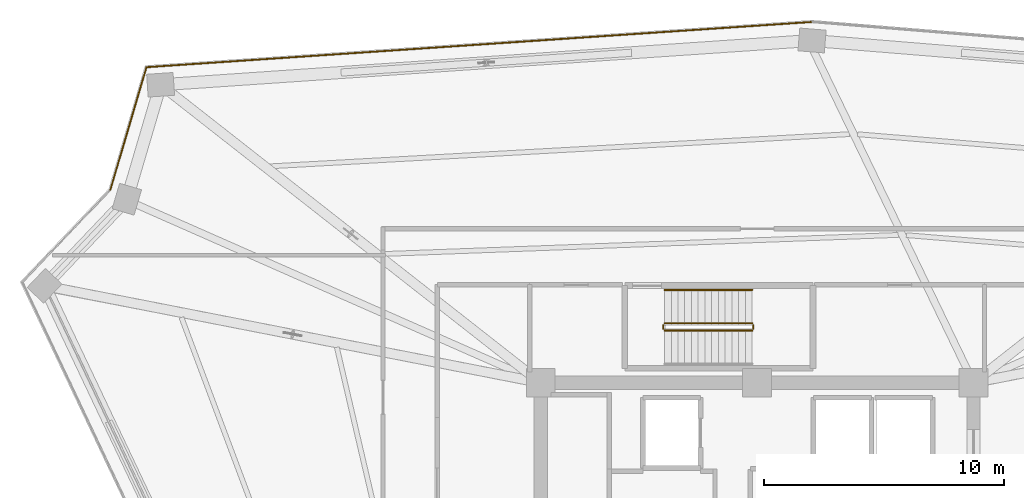
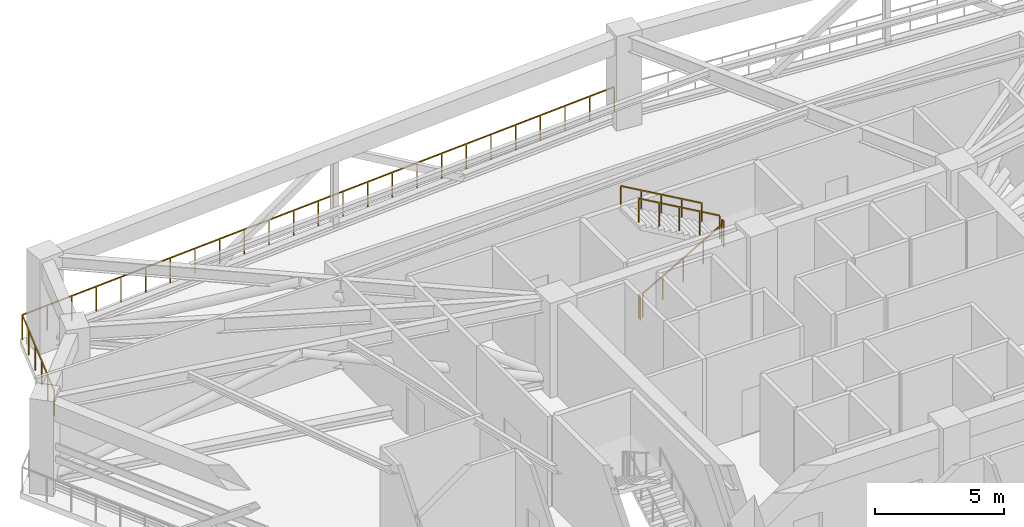
# One storey, part 21 of 22: 7 railings.
"""IFC4 building model written with IfcOpenShell, lengths in metres."""

import ifcopenshell
import ifcopenshell.guid

model = None  # the IFC model being written
_history = None  # IfcOwnerHistory: only IFC2X3 demands one
_inside = {}  # id of a spatial element -> (the spatial element, [elements in it])
_under = {}  # id of a project, library or spatial element -> (it, [spatial elements below it])
_declared = {}  # id of a project -> (the project, [libraries it declares])
_typed = {}  # id of a type object -> (the type object, [elements of that type])
_made_of = {}  # id of a material, layer set ... -> (it, [elements and type objects made of it])


def new_model(schema):
    """Start an empty IFC model of exactly this schema.

    Asked for "IFC4X3", IfcOpenShell would pick the latest addendum, in which some entities
    have other attributes; the version numbers below select the first issue.
    IFC2X3 requires an IfcOwnerHistory on every rooted entity: one is made here for all.
    """
    global model, _history
    if schema == "IFC4X3":
        model = ifcopenshell.file(schema_version=(4, 3, 0, 0))
    else:
        model = ifcopenshell.file(schema=schema)
    _inside.clear()
    _under.clear()
    _declared.clear()
    _typed.clear()
    _made_of.clear()
    _history = None
    if model.schema == "IFC2X3":
        org = make("IfcOrganization", Name="unknown")
        user = make(
            "IfcPersonAndOrganization",
            ThePerson=make("IfcPerson", FamilyName="unknown"),
            TheOrganization=org,
        )
        app = make(
            "IfcApplication",
            ApplicationDeveloper=org,
            Version="unknown",
            ApplicationFullName="unknown",
            ApplicationIdentifier="unknown",
        )
        _history = make(
            "IfcOwnerHistory",
            OwningUser=user,
            OwningApplication=app,
            ChangeAction="ADDED",
            CreationDate=0,
        )
    return model


def make(cls, **values):
    """One entity of the class cls with the attributes given. An attribute that is None is left unset."""
    return model.create_entity(
        cls, **{name: value for name, value in values.items() if value is not None}
    )


def rooted(cls, **values):
    """An entity with a GlobalId (a new one), such as an element, a storey or a relation."""
    return make(cls, GlobalId=ifcopenshell.guid.new(), OwnerHistory=_history, **values)


def si_unit(unit_type, name, prefix=None):
    """IfcSIUnit, for example si_unit("LENGTHUNIT", "METRE", prefix="MILLI")."""
    return make("IfcSIUnit", UnitType=unit_type, Prefix=prefix, Name=name)


def assignment(units):
    """IfcUnitAssignment: the units of a project."""
    return None if units is None else make("IfcUnitAssignment", Units=units)


def point(xyz):
    """IfcCartesianPoint."""
    return None if xyz is None else make("IfcCartesianPoint", Coordinates=xyz)


def direction(xyz):
    """IfcDirection."""
    return None if xyz is None else make("IfcDirection", DirectionRatios=xyz)


def frame(location, z_axis=None, x_axis=None):
    """IfcAxis2Placement3D, a coordinate frame: its origin and axes. An axis left out is left unset."""
    return make(
        "IfcAxis2Placement3D",
        Location=point(location),
        Axis=direction(z_axis),
        RefDirection=direction(x_axis),
    )


def frame_2d(location, x_axis=None):
    """IfcAxis2Placement2D, a coordinate frame in the plane: its origin and x axis."""
    return make(
        "IfcAxis2Placement2D", Location=point(location), RefDirection=direction(x_axis)
    )


def origin():
    """The frame at (0, 0, 0) with its axes left unset."""
    return frame((0.0, 0.0, 0.0))


def origin_2d():
    """The frame at (0, 0) in the plane with its x axis left unset."""
    return frame_2d((0.0, 0.0))


def place(relative_to, where):
    """IfcLocalPlacement: puts the frame where relative to a parent placement (None: the world)."""
    return make(
        "IfcLocalPlacement", PlacementRelTo=relative_to, RelativePlacement=where
    )


def context(
    kind, dimensions, precision=None, world=None, true_north=None, identifier=None
):
    """IfcGeometricRepresentationContext, for example the 3D "Model" context."""
    return make(
        "IfcGeometricRepresentationContext",
        ContextIdentifier=identifier,
        ContextType=kind,
        CoordinateSpaceDimension=dimensions,
        Precision=precision,
        WorldCoordinateSystem=world,
        TrueNorth=true_north,
    )


def subcontext(parent, identifier, kind, view, scale=None):
    """IfcGeometricRepresentationSubContext, for example "Body" below "Model"."""
    return make(
        "IfcGeometricRepresentationSubContext",
        ContextIdentifier=identifier,
        ContextType=kind,
        ParentContext=parent,
        TargetScale=scale,
        TargetView=view,
    )


def project(units=None, contexts=None):
    """IfcProject with its units and contexts."""
    return rooted(
        "IfcProject",
        Name="project",
        RepresentationContexts=contexts,
        UnitsInContext=assignment(units),
    )


def spatial(cls, under=None, at=None, **own):
    """A site, building, storey or space (cls), placed at a placement, below another one or the project."""
    s = rooted(cls, ObjectPlacement=at, **own)
    if under is not None:
        _under.setdefault(under.id(), (under, []))[1].append(s)
    return s


def profile(cls, at=None, kind="AREA", **sizes):
    """A parametric profile (cls). Its sizes go by their IFC names, for example OverallWidth=200.0."""
    return make(cls, ProfileType=kind, Position=at, **sizes)


def rectangle(**sizes):
    """IfcRectangleProfileDef."""
    return profile("IfcRectangleProfileDef", **sizes)


def extrude(swept, where, along, depth):
    """IfcExtrudedAreaSolid: the profile swept, set in the frame where, extruded along a direction by depth."""
    return make(
        "IfcExtrudedAreaSolid",
        SweptArea=swept,
        Position=where,
        ExtrudedDirection=direction(along),
        Depth=depth,
    )


def shape(context_of_items, identifier, shape_type, items):
    """IfcShapeRepresentation: the items that make up one representation, for example the "Body"."""
    return make(
        "IfcShapeRepresentation",
        ContextOfItems=context_of_items,
        RepresentationIdentifier=identifier,
        RepresentationType=shape_type,
        Items=items,
    )


def material(Name=None, Category=None):
    """IfcMaterial."""
    return make("IfcMaterial", Name=Name, Category=Category)


def made_of(thing, what):
    """Note that an element or type object is made of a material, layer set ...; save() writes the relation."""
    if what is not None:
        _made_of.setdefault(what.id(), (what, []))[1].append(thing)
    return thing


def type_object(cls, material=None, **own):
    """A type object (cls), such as IfcWallType, which elements share."""
    return made_of(rooted(cls, **own), material)


def element(
    cls,
    number,
    at=None,
    inside=None,
    cuts=None,
    type_object=None,
    material=None,
    context=None,
    identifier="Body",
    shape_type=None,
    held_by="IfcProductDefinitionShape",
    body=None,
    shapes=None,
    **own,
):
    """One element of the class cls, such as IfcWall. Its Tag is "e" and its number.

    at: its placement. inside: the storey or other place that contains it. cuts: it is an
    opening in that element (IfcRelVoidsElement). A single representation is given by context,
    identifier, shape_type and body (its items); several are given by shapes. held_by: the class
    of the entity that holds the representations. save() writes the other relations.
    """
    e = rooted(cls, Tag="e%d" % number, ObjectPlacement=at, **own)
    if body is not None:
        shapes = [shape(context, identifier, shape_type, body)]
    if shapes is not None:
        e.Representation = make(held_by, Representations=shapes)
    if inside is not None:
        _inside.setdefault(inside.id(), (inside, []))[1].append(e)
    if cuts is not None:
        rooted(
            "IfcRelVoidsElement", RelatingBuildingElement=cuts, RelatedOpeningElement=e
        )
    if type_object is not None:
        _typed.setdefault(type_object.id(), (type_object, []))[1].append(e)
    return made_of(e, material)


def aggregate(whole, parts):
    """IfcRelAggregates: a whole, such as a stair, and the parts it consists of."""
    return rooted("IfcRelAggregates", RelatingObject=whole, RelatedObjects=parts)


def save(model, path):
    """Write the relations noted so far, then the file.

    IfcRelAggregates (storeys below a building ...), IfcRelContainedInSpatialStructure (elements
    in a storey), IfcRelDefinesByType, IfcRelAssociatesMaterial and IfcRelDeclares: one each for
    every whole, place, type object, material and project.
    """
    for whole, parts in _under.values():
        aggregate(whole, parts)
    for where, things in _inside.values():
        rooted(
            "IfcRelContainedInSpatialStructure",
            RelatedElements=things,
            RelatingStructure=where,
        )
    for kind, things in _typed.values():
        rooted("IfcRelDefinesByType", RelatedObjects=things, RelatingType=kind)
    for what, things in _made_of.values():
        rooted("IfcRelAssociatesMaterial", RelatedObjects=things, RelatingMaterial=what)
    for by, libraries in _declared.values():
        rooted("IfcRelDeclares", RelatingContext=by, RelatedDefinitions=libraries)
    model.write(path)


model = new_model("IFC4")

# Units and contexts
model_context = context("Model", 3, precision=1e-05, world=origin(), true_north=direction((0.0, 1.0)))
body_context = subcontext(model_context, "Body", "Model", "MODEL_VIEW")
ifc_project = project(units=[si_unit("LENGTHUNIT", "METRE"), si_unit("AREAUNIT", "SQUARE_METRE"), si_unit("VOLUMEUNIT", "CUBIC_METRE"), si_unit("PLANEANGLEUNIT", "RADIAN"), si_unit("MASSUNIT", "GRAM", prefix="KILO")], contexts=[model_context])

# Site, building, storey
site_placement = place(None, origin())
site = spatial("IfcSite", under=ifc_project, at=site_placement, CompositionType="ELEMENT")
building_placement = place(site_placement, origin())
building = spatial("IfcBuilding", under=site, at=building_placement, Name="Liaohun Quay Tower", CompositionType="ELEMENT")
storey_placement = place(building_placement, frame((0.0, 0.0, 324.0)))
storey = spatial("IfcBuildingStorey", under=building, at=storey_placement, Name="L84", CompositionType="ELEMENT", Elevation=324.0)

# Railings
ifc_material_1 = material(Name="Galvanised and powder-coated steel", Category="steel")
railing_type_1 = type_object("IfcRailingType", Name="RLG-GUARD-EXT", PredefinedType="GUARDRAIL", material=ifc_material_1)
railing_1_placement = place(storey_placement, frame((33.10400390625, 69.528076171875, 0.0)))
element("IfcRailing", 1, at=railing_1_placement, inside=storey, type_object=railing_type_1, Name="L84 Open Refuge Band Perimeter Guardrail 04", PredefinedType="GUARDRAIL", context=body_context, shape_type="SweptSolid", body=[
    extrude(rectangle(XDim=0.048095703125, YDim=0.048095703125, at=origin_2d()), frame((0.0, 0.0, 1.17578125), z_axis=(0.282761000473, 0.959190396434, 0.0), x_axis=(-0.959190396434, 0.282761000473, 0.0)), (0.0, 0.0, 1.0), 5.311767578125),
    extrude(rectangle(XDim=0.0419921875, YDim=0.0419921875, at=origin_2d()), origin(), (0.0, 0.0, 1.0), 1.15185546875),
    extrude(rectangle(XDim=0.0419921875, YDim=0.0419921875, at=origin_2d()), frame((0.30029296875, 1.01904296875, 0.0)), (0.0, 0.0, 1.0), 1.15185546875),
    extrude(rectangle(XDim=0.0419921875, YDim=0.0419921875, at=origin_2d()), frame((0.600830078125, 2.0380859375, 0.0)), (0.0, 0.0, 1.0), 1.15185546875),
    extrude(rectangle(XDim=0.0419921875, YDim=0.0419921875, at=origin_2d()), frame((0.901123046875, 3.056884765625, 0.0)), (0.0, 0.0, 1.0), 1.15185546875),
    extrude(rectangle(XDim=0.0419921875, YDim=0.0419921875, at=origin_2d()), frame((1.20166015625, 4.075927734375, 0.0)), (0.0, 0.0, 1.0), 1.15185546875),
    extrude(rectangle(XDim=0.0419921875, YDim=0.0419921875, at=origin_2d()), frame((1.501953125, 5.094970703125, 0.0)), (0.0, 0.0, 1.0), 1.15185546875),
])
railing_2_placement = place(storey_placement, frame((34.60595703125, 74.623046875, 0.0)))
element("IfcRailing", 2, at=railing_2_placement, inside=storey, type_object=railing_type_1, Name="L84 Open Refuge Band Perimeter Guardrail 05", PredefinedType="GUARDRAIL", context=body_context, shape_type="SweptSolid", body=[
    extrude(rectangle(XDim=0.048095703125, YDim=0.048095703125, at=origin_2d()), frame((0.0, 0.0, 1.17578125), z_axis=(0.997694672099, 0.067862664743, 0.0), x_axis=(-0.067862664743, 0.997694672099, 0.0)), (0.0, 0.0, 1.0), 27.748046875),
    extrude(rectangle(XDim=0.0419921875, YDim=0.0419921875, at=origin_2d()), origin(), (0.0, 0.0, 1.0), 1.15185546875),
    extrude(rectangle(XDim=0.0419921875, YDim=0.0419921875, at=origin_2d()), frame((1.153564453125, 0.078369140625, 0.0)), (0.0, 0.0, 1.0), 1.15185546875),
    extrude(rectangle(XDim=0.0419921875, YDim=0.0419921875, at=origin_2d()), frame((2.30712890625, 0.156982421875, 0.0)), (0.0, 0.0, 1.0), 1.15185546875),
    extrude(rectangle(XDim=0.0419921875, YDim=0.0419921875, at=origin_2d()), frame((3.46044921875, 0.2353515625, 0.0)), (0.0, 0.0, 1.0), 1.15185546875),
    extrude(rectangle(XDim=0.0419921875, YDim=0.0419921875, at=origin_2d()), frame((4.614013671875, 0.31396484375, 0.0)), (0.0, 0.0, 1.0), 1.15185546875),
    extrude(rectangle(XDim=0.0419921875, YDim=0.0419921875, at=origin_2d()), frame((5.767578125, 0.392333984375, 0.0)), (0.0, 0.0, 1.0), 1.15185546875),
    extrude(rectangle(XDim=0.0419921875, YDim=0.0419921875, at=origin_2d()), frame((6.9208984375, 0.470703125, 0.0)), (0.0, 0.0, 1.0), 1.15185546875),
    extrude(rectangle(XDim=0.0419921875, YDim=0.0419921875, at=origin_2d()), frame((8.074462890625, 0.54931640625, 0.0)), (0.0, 0.0, 1.0), 1.15185546875),
    extrude(rectangle(XDim=0.0419921875, YDim=0.0419921875, at=origin_2d()), frame((9.22802734375, 0.627685546875, 0.0)), (0.0, 0.0, 1.0), 1.15185546875),
    extrude(rectangle(XDim=0.0419921875, YDim=0.0419921875, at=origin_2d()), frame((10.381591796875, 0.7060546875, 0.0)), (0.0, 0.0, 1.0), 1.15185546875),
    extrude(rectangle(XDim=0.0419921875, YDim=0.0419921875, at=origin_2d()), frame((11.53515625, 0.78466796875, 0.0)), (0.0, 0.0, 1.0), 1.15185546875),
    extrude(rectangle(XDim=0.0419921875, YDim=0.0419921875, at=origin_2d()), frame((12.6884765625, 0.863037109375, 0.0)), (0.0, 0.0, 1.0), 1.15185546875),
    extrude(rectangle(XDim=0.0419921875, YDim=0.0419921875, at=origin_2d()), frame((13.842041015625, 0.94140625, 0.0)), (0.0, 0.0, 1.0), 1.15185546875),
    extrude(rectangle(XDim=0.0419921875, YDim=0.0419921875, at=origin_2d()), frame((14.99560546875, 1.02001953125, 0.0)), (0.0, 0.0, 1.0), 1.15185546875),
    extrude(rectangle(XDim=0.0419921875, YDim=0.0419921875, at=origin_2d()), frame((16.14892578125, 1.098388671875, 0.0)), (0.0, 0.0, 1.0), 1.15185546875),
    extrude(rectangle(XDim=0.0419921875, YDim=0.0419921875, at=origin_2d()), frame((17.302490234375, 1.177001953125, 0.0)), (0.0, 0.0, 1.0), 1.15185546875),
    extrude(rectangle(XDim=0.0419921875, YDim=0.0419921875, at=origin_2d()), frame((18.4560546875, 1.25537109375, 0.0)), (0.0, 0.0, 1.0), 1.15185546875),
    extrude(rectangle(XDim=0.0419921875, YDim=0.0419921875, at=origin_2d()), frame((19.609619140625, 1.333740234375, 0.0)), (0.0, 0.0, 1.0), 1.15185546875),
    extrude(rectangle(XDim=0.0419921875, YDim=0.0419921875, at=origin_2d()), frame((20.76318359375, 1.412353515625, 0.0)), (0.0, 0.0, 1.0), 1.15185546875),
    extrude(rectangle(XDim=0.0419921875, YDim=0.0419921875, at=origin_2d()), frame((21.91650390625, 1.49072265625, 0.0)), (0.0, 0.0, 1.0), 1.15185546875),
    extrude(rectangle(XDim=0.0419921875, YDim=0.0419921875, at=origin_2d()), frame((23.070068359375, 1.5693359375, 0.0)), (0.0, 0.0, 1.0), 1.15185546875),
    extrude(rectangle(XDim=0.0419921875, YDim=0.0419921875, at=origin_2d()), frame((24.2236328125, 1.647705078125, 0.0)), (0.0, 0.0, 1.0), 1.15185546875),
    extrude(rectangle(XDim=0.0419921875, YDim=0.0419921875, at=origin_2d()), frame((25.376953125, 1.72607421875, 0.0)), (0.0, 0.0, 1.0), 1.15185546875),
    extrude(rectangle(XDim=0.0419921875, YDim=0.0419921875, at=origin_2d()), frame((26.530517578125, 1.8046875, 0.0)), (0.0, 0.0, 1.0), 1.15185546875),
    extrude(rectangle(XDim=0.0419921875, YDim=0.0419921875, at=origin_2d()), frame((27.68408203125, 1.883056640625, 0.0)), (0.0, 0.0, 1.0), 1.15185546875),
])
ifc_material_2 = material(Name="Painted tubular steel", Category="steel")
railing_type_2 = type_object("IfcRailingType", Name="RLG-GUARD-STR", PredefinedType="GUARDRAIL", material=ifc_material_2)
railing_3_placement = place(storey_placement, frame((56.14990234375, 63.669921875, 0.16064453125)))
element("IfcRailing", 3, at=railing_3_placement, inside=storey, type_object=railing_type_2, Name="L84 ST-3 stair guard 1", PredefinedType="GUARDRAIL", context=body_context, shape_type="SweptSolid", body=[
    extrude(rectangle(XDim=0.048095703125, YDim=0.048095703125, at=origin_2d()), frame((0.0, 0.0, 1.1259765625), z_axis=(0.867289372828, 0.0, 0.497804322781), x_axis=(0.0, 1.0, 0.0)), (0.0, 0.0, 1.0), 4.197021484375),
    extrude(rectangle(XDim=0.0419921875, YDim=0.0419921875, at=origin_2d()), origin(), (0.0, 0.0, 1.0), 1.101806640625),
    extrude(rectangle(XDim=0.0419921875, YDim=0.0419921875, at=origin_2d()), frame((0.91015625, 0.0, 0.5224609375)), (0.0, 0.0, 1.0), 1.101806640625),
    extrude(rectangle(XDim=0.0419921875, YDim=0.0419921875, at=origin_2d()), frame((1.820068359375, 0.0, 1.044677734375)), (0.0, 0.0, 1.0), 1.101806640625),
    extrude(rectangle(XDim=0.0419921875, YDim=0.0419921875, at=origin_2d()), frame((2.72998046875, 0.0, 1.56689453125)), (0.0, 0.0, 1.0), 1.101806640625),
    extrude(rectangle(XDim=0.0419921875, YDim=0.0419921875, at=origin_2d()), frame((3.64013671875, 0.0, 2.08935546875)), (0.0, 0.0, 1.0), 1.101806640625),
])
railing_4_placement = place(storey_placement, frame((59.840087890625, 63.75, 2.25)))
element("IfcRailing", 4, at=railing_4_placement, inside=storey, type_object=railing_type_2, Name="L84 ST-3 stair guard 2", PredefinedType="GUARDRAIL", context=body_context, shape_type="SweptSolid", body=[
    extrude(rectangle(XDim=0.048095703125, YDim=0.048095703125, at=origin_2d()), frame((0.0, 0.0, 1.1259765625), z_axis=(0.0, 1.0, 0.0), x_axis=(-1.0, 0.0, 0.0)), (0.0, 0.0, 1.0), 0.139892578125),
    extrude(rectangle(XDim=0.0419921875, YDim=0.0419921875, at=origin_2d()), origin(), (0.0, 0.0, 1.0), 1.101806640625),
    extrude(rectangle(XDim=0.0419921875, YDim=0.0419921875, at=origin_2d()), frame((0.0, 0.139892578125, 0.0)), (0.0, 0.0, 1.0), 1.101806640625),
])
railing_5_placement = place(storey_placement, frame((59.7900390625, 63.969970703125, 2.41064453125)))
element("IfcRailing", 5, at=railing_5_placement, inside=storey, type_object=railing_type_2, Name="L84 ST-3 stair guard 3", PredefinedType="GUARDRAIL", context=body_context, shape_type="SweptSolid", body=[
    extrude(rectangle(XDim=0.048095703125, YDim=0.048095703125, at=origin_2d()), frame((0.0, 0.0, 1.1259765625), z_axis=(-0.867289372828, 0.0, 0.497804322781), x_axis=(0.0, -1.0, 0.0)), (0.0, 0.0, 1.0), 4.197021484375),
    extrude(rectangle(XDim=0.0419921875, YDim=0.0419921875, at=origin_2d()), origin(), (0.0, 0.0, 1.0), 1.101806640625),
    extrude(rectangle(XDim=0.0419921875, YDim=0.0419921875, at=origin_2d()), frame((-0.91015625, 0.0, 0.5224609375)), (0.0, 0.0, 1.0), 1.101806640625),
    extrude(rectangle(XDim=0.0419921875, YDim=0.0419921875, at=origin_2d()), frame((-1.820068359375, 0.0, 1.044677734375)), (0.0, 0.0, 1.0), 1.101806640625),
    extrude(rectangle(XDim=0.0419921875, YDim=0.0419921875, at=origin_2d()), frame((-2.72998046875, 0.0, 1.56689453125)), (0.0, 0.0, 1.0), 1.101806640625),
    extrude(rectangle(XDim=0.0419921875, YDim=0.0419921875, at=origin_2d()), frame((-3.64013671875, 0.0, 2.08935546875)), (0.0, 0.0, 1.0), 1.101806640625),
])
railing_6_placement = place(storey_placement, frame((56.10009765625, 63.75, 0.0)))
element("IfcRailing", 6, at=railing_6_placement, inside=storey, type_object=railing_type_2, Name="L84 ST-3 stair guard 4", PredefinedType="GUARDRAIL", context=body_context, shape_type="SweptSolid", body=[
    extrude(rectangle(XDim=0.048095703125, YDim=0.048095703125, at=origin_2d()), frame((0.0, 0.0, 1.1259765625), z_axis=(0.0, 1.0, 0.0), x_axis=(-1.0, 0.0, 0.0)), (0.0, 0.0, 1.0), 0.139892578125),
    extrude(rectangle(XDim=0.0419921875, YDim=0.0419921875, at=origin_2d()), origin(), (0.0, 0.0, 1.0), 1.101806640625),
    extrude(rectangle(XDim=0.0419921875, YDim=0.0419921875, at=origin_2d()), frame((0.0, 0.139892578125, 0.0)), (0.0, 0.0, 1.0), 1.101806640625),
])
ifc_material_3 = material(Name="Brushed stainless steel", Category="steel")
railing_type_3 = type_object("IfcRailingType", Name="RLG-HND-STR", PredefinedType="HANDRAIL", material=ifc_material_3)
railing_7_placement = place(storey_placement, frame((59.7900390625, 65.360107421875, 2.41064453125)))
element("IfcRailing", 7, at=railing_7_placement, inside=storey, type_object=railing_type_3, Name="L84 ST-3 stair handrail 2", PredefinedType="HANDRAIL", context=body_context, shape_type="SweptSolid", body=[
    extrude(rectangle(XDim=0.048095703125, YDim=0.048095703125, at=origin_2d()), frame((0.0, 0.0, 0.8759765625), z_axis=(-0.867289372828, 0.0, 0.497804322781), x_axis=(0.0, -1.0, 0.0)), (0.0, 0.0, 1.0), 4.197021484375),
    extrude(rectangle(XDim=0.0419921875, YDim=0.0419921875, at=origin_2d()), origin(), (0.0, 0.0, 1.0), 0.851806640625),
    extrude(rectangle(XDim=0.0419921875, YDim=0.0419921875, at=origin_2d()), frame((-0.91015625, 0.0, 0.5224609375)), (0.0, 0.0, 1.0), 0.851806640625),
    extrude(rectangle(XDim=0.0419921875, YDim=0.0419921875, at=origin_2d()), frame((-1.820068359375, 0.0, 1.044677734375)), (0.0, 0.0, 1.0), 0.851806640625),
    extrude(rectangle(XDim=0.0419921875, YDim=0.0419921875, at=origin_2d()), frame((-2.72998046875, 0.0, 1.56689453125)), (0.0, 0.0, 1.0), 0.851806640625),
    extrude(rectangle(XDim=0.0419921875, YDim=0.0419921875, at=origin_2d()), frame((-3.64013671875, 0.0, 2.08935546875)), (0.0, 0.0, 1.0), 0.851806640625),
])

save(model, "model.ifc")
